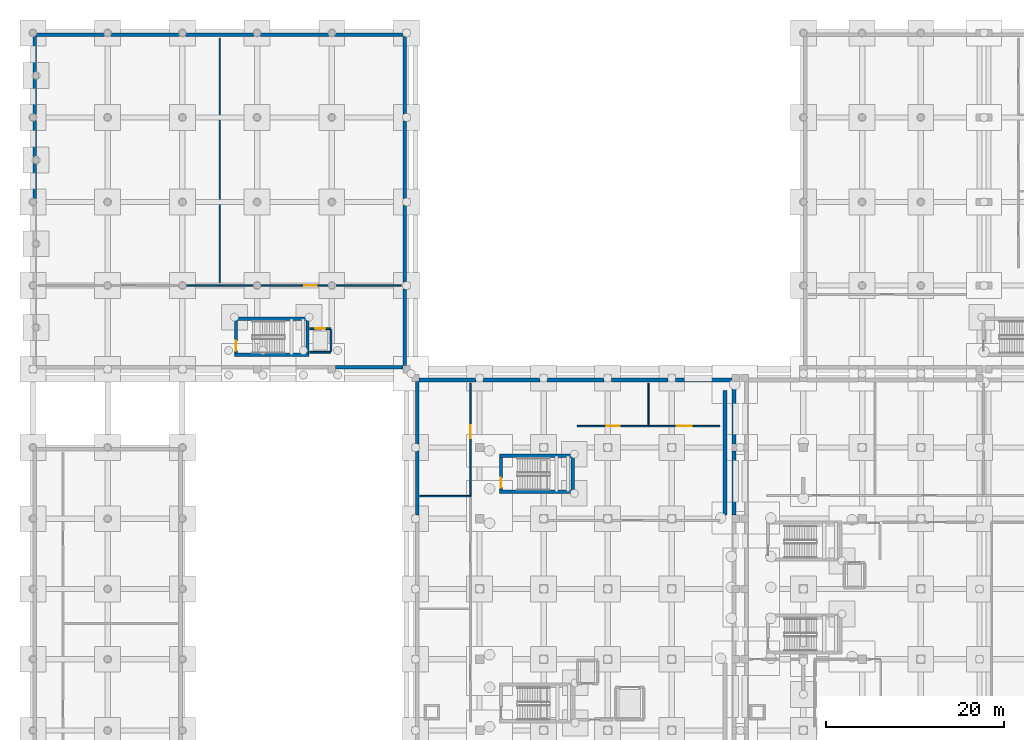
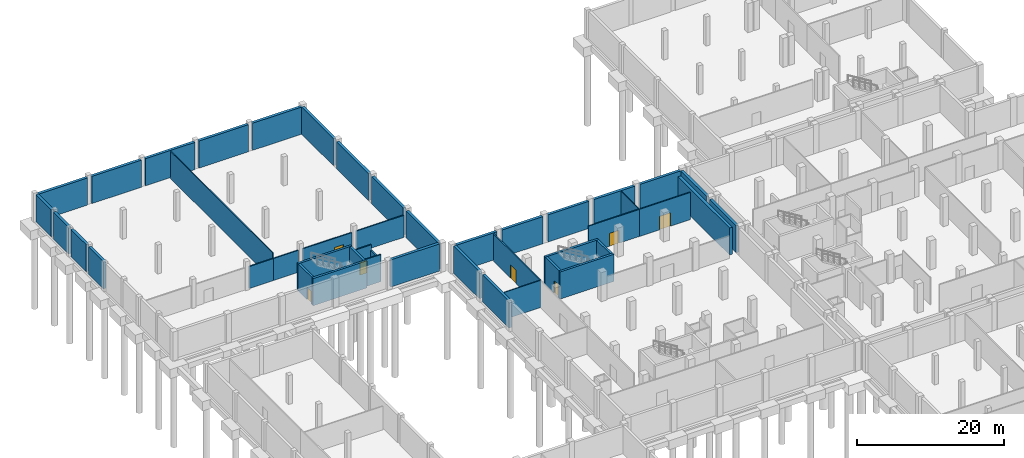
# One storey, part 19 of 29: 45 walls, 7 doors, 7 openings.
"""IFC4 building model written with IfcOpenShell, lengths in metres."""

from ifc_helpers import new_model, si_unit, direction, frame, frame_2d, origin, place, context, subcontext, project, spatial, rectangle, extrude, material, layer, layer_set, type_object, element, fill, save


model = new_model("IFC4")

# Units and contexts
model_context = context("Model", 3, precision=1e-05, world=origin(), true_north=direction((0.0, 1.0)))
body_context = subcontext(model_context, "Body", "Model", "MODEL_VIEW")
ifc_project = project(units=[si_unit("LENGTHUNIT", "METRE"), si_unit("AREAUNIT", "SQUARE_METRE"), si_unit("VOLUMEUNIT", "CUBIC_METRE"), si_unit("PLANEANGLEUNIT", "RADIAN"), si_unit("MASSUNIT", "GRAM", prefix="KILO")], contexts=[model_context])

# Site, building, storey
site_placement = place(None, origin())
site = spatial("IfcSite", under=ifc_project, at=site_placement, CompositionType="ELEMENT")
building_placement = place(site_placement, origin())
building = spatial("IfcBuilding", under=site, at=building_placement, Name="Kelarvand Opera House", CompositionType="ELEMENT")
storey_placement = place(building_placement, frame((0.0, 0.0, -9.60009765625)))
storey = spatial("IfcBuildingStorey", under=building, at=storey_placement, Name="B2", CompositionType="ELEMENT", Elevation=-9.60009765625)

# Walls
ifc_material_1 = material(Name="Concrete C40/50", Category="concrete")
ifc_layer_1 = layer(ifc_material_1, 0.449951171875, Name="Concrete C40/50", Category="concrete")
ifc_layer_set_1 = layer_set([ifc_layer_1], Name="Concrete C40/50")
wall_type_1 = type_object("IfcWallType", Name="Acoustic Proscenium Shear Wall 450", PredefinedType="SHEAR", material=ifc_layer_set_1)
wall_1_placement = place(storey_placement, frame((86.800048828125, 70.800048828125, 0.0), z_axis=(0.0, 0.0, 1.0), x_axis=(0.0, 1.0, 0.0)))
element("IfcWall", 1, at=wall_1_placement, inside=storey, type_object=wall_type_1, Name="V2 Shear Wall PW-120 B2", PredefinedType="SHEAR", context=body_context, shape_type="SweptSolid", body=[
    extrude(rectangle(XDim=14.0, YDim=0.449951171875, at=frame_2d((7.0, 0.0))), origin(), (0.0, 0.0, 1.0), 4.47998046875),
])
ifc_material_2 = material(Name="Acoustic double-stud gypsum partition")
ifc_layer_2 = layer(ifc_material_2, 0.14990234375, Name="Acoustic double-stud gypsum partition")
ifc_layer_set_2 = layer_set([ifc_layer_2], Name="Acoustic double-stud gypsum partition")
wall_type_2 = type_object("IfcWallType", Name="Acoustic Room Partition Wall 150", PredefinedType="PARTITIONING", material=ifc_layer_set_2)
wall_2_placement = place(storey_placement, frame((52.5, 72.93310546875, 0.0), z_axis=(0.0, 0.0, 1.0), x_axis=(1.0, 0.0, 0.0)))
element("IfcWall", 2, at=wall_2_placement, inside=storey, type_object=wall_type_2, Name="V2 B2 Partition Wall IW-150 (62)", PredefinedType="PARTITIONING", context=body_context, shape_type="SweptSolid", body=[
    extrude(rectangle(XDim=5.699951171875, YDim=0.14990234375, at=frame_2d((2.85009765625, 0.0))), origin(), (0.0, 0.0, 1.0), 4.4921875),
])
wall_3_placement = place(storey_placement, frame((78.199951171875, 80.93994140625, 0.0), z_axis=(0.0, 0.0, 1.0), x_axis=(0.0, 1.0, 0.0)))
element("IfcWall", 3, at=wall_3_placement, inside=storey, type_object=wall_type_2, Name="V2 B2 Partition Wall IW-150 (65)", PredefinedType="PARTITIONING", context=body_context, shape_type="SweptSolid", body=[
    extrude(rectangle(XDim=4.66015625, YDim=0.14990234375, at=frame_2d((2.330078125, 0.0))), origin(), (0.0, 0.0, 1.0), 4.4921875),
])
wall_4_placement = place(storey_placement, frame((30.0, 96.739990234375, 0.0), z_axis=(0.0, 0.0, 1.0), x_axis=(0.0, 1.0, 0.0)))
element("IfcWall", 4, at=wall_4_placement, inside=storey, type_object=wall_type_2, Name="V3 B2 Partition Wall IW-150 (73)", PredefinedType="PARTITIONING", context=body_context, shape_type="SweptSolid", body=[
    extrude(rectangle(XDim=27.659912109375, YDim=0.14990234375, at=frame_2d((13.830078125, 0.0))), origin(), (0.0, 0.0, 1.0), 4.4921875),
])
ifc_material_3 = material(Name="Concrete C35/45", Category="concrete")
ifc_layer_3 = layer(ifc_material_3, 0.419921875, Name="Concrete C35/45", Category="concrete")
ifc_layer_set_3 = layer_set([ifc_layer_3], Name="Concrete C35/45")
wall_type_3 = type_object("IfcWallType", Name="Basement Perimeter Retaining Wall 420", PredefinedType="SHEAR", material=ifc_layer_set_3)
wall_5_placement = place(storey_placement, frame((87.7900390625, 85.7900390625, 0.0), z_axis=(0.0, 0.0, 1.0), x_axis=(0.0, -1.0, 0.0)))
element("IfcWall", 5, at=wall_5_placement, inside=storey, type_object=wall_type_3, Name="V2 B2 Retaining Wall 176", PredefinedType="SHEAR", context=body_context, shape_type="SweptSolid", body=[
    extrude(rectangle(XDim=6.97998046875, YDim=0.419921875, at=frame_2d((3.489990234375, 0.0))), origin(), (0.0, 0.0, 1.0), 4.5),
])
wall_6_placement = place(storey_placement, frame((87.7900390625, 77.989990234375, 0.0), z_axis=(0.0, 0.0, 1.0), x_axis=(0.0, -1.0, 0.0)))
element("IfcWall", 6, at=wall_6_placement, inside=storey, type_object=wall_type_3, Name="V2 B2 Retaining Wall 177", PredefinedType="SHEAR", context=body_context, shape_type="SweptSolid", body=[
    extrude(rectangle(XDim=7.179931640625, YDim=0.419921875, at=frame_2d((3.58984375, 0.0))), origin(), (0.0, 0.0, 1.0), 4.5),
])
wall_7_placement = place(storey_placement, frame((52.409912109375, 85.989990234375, 0.0), z_axis=(0.0, 0.0, 1.0), x_axis=(1.0, 0.0, 0.0)))
element("IfcWall", 7, at=wall_7_placement, inside=storey, type_object=wall_type_3, Name="V2 B2 Retaining Wall 182", PredefinedType="SHEAR", context=body_context, shape_type="SweptSolid", body=[
    extrude(rectangle(XDim=6.380126953125, YDim=0.419921875, at=frame_2d((3.18994140625, 0.0))), origin(), (0.0, 0.0, 1.0), 4.5),
])
for number, where, z_axis, x_axis, name in (
    (8, (59.610107421875, 85.989990234375, 0.0), (0.0, 0.0, 1.0), (1.0, 0.0, 0.0), "V2 B2 Retaining Wall 183"),
    (9, (66.81005859375, 85.989990234375, 0.0), (0.0, 0.0, 1.0), (1.0, 0.0, 0.0), "V2 B2 Retaining Wall 184"),
    (10, (74.010009765625, 85.989990234375, 0.0), (0.0, 0.0, 1.0), (1.0, 0.0, 0.0), "V2 B2 Retaining Wall 185"),
):
    element("IfcWall", number, at=place(storey_placement, frame(where, z_axis=z_axis, x_axis=x_axis)), inside=storey, type_object=wall_type_3, Name=name, PredefinedType="SHEAR", context=body_context, shape_type="SweptSolid", body=[
        extrude(rectangle(XDim=6.3798828125, YDim=0.419921875, at=frame_2d((3.18994140625, 0.0))), origin(), (0.0, 0.0, 1.0), 4.5),
    ])
wall_8_placement = place(storey_placement, frame((81.2099609375, 85.989990234375, 0.0), z_axis=(0.0, 0.0, 1.0), x_axis=(1.0, 0.0, 0.0)))
element("IfcWall", 11, at=wall_8_placement, inside=storey, type_object=wall_type_3, Name="V2 B2 Retaining Wall 186", PredefinedType="SHEAR", context=body_context, shape_type="SweptSolid", body=[
    extrude(rectangle(XDim=6.380126953125, YDim=0.419921875, at=frame_2d((3.18994140625, 0.0))), origin(), (0.0, 0.0, 1.0), 4.5),
])
wall_9_placement = place(storey_placement, frame((52.2099609375, 70.81005859375, 0.0), z_axis=(0.0, 0.0, 1.0), x_axis=(0.0, 1.0, 0.0)))
element("IfcWall", 12, at=wall_9_placement, inside=storey, type_object=wall_type_3, Name="V2 B2 Retaining Wall 191", PredefinedType="SHEAR", context=body_context, shape_type="SweptSolid", body=[
    extrude(rectangle(XDim=7.179931640625, YDim=0.419921875, at=frame_2d((3.58984375, 0.0))), origin(), (0.0, 0.0, 1.0), 4.5),
])
wall_10_placement = place(storey_placement, frame((52.2099609375, 78.81005859375, 0.0), z_axis=(0.0, 0.0, 1.0), x_axis=(0.0, 1.0, 0.0)))
element("IfcWall", 13, at=wall_10_placement, inside=storey, type_object=wall_type_3, Name="V2 B2 Retaining Wall 192", PredefinedType="SHEAR", context=body_context, shape_type="SweptSolid", body=[
    extrude(rectangle(XDim=6.97998046875, YDim=0.419921875, at=frame_2d((3.489990234375, 0.0))), origin(), (0.0, 0.0, 1.0), 4.5),
])
for number, where, z_axis, x_axis, name in (
    (14, (50.7900390625, 124.590087890625, 0.0), (0.0, 0.0, 1.0), (0.0, -1.0, 0.0), "V3 B2 Retaining Wall 347"),
    (15, (50.7900390625, 115.090087890625, 0.0), (0.0, 0.0, 1.0), (0.0, -1.0, 0.0), "V3 B2 Retaining Wall 348"),
):
    element("IfcWall", number, at=place(storey_placement, frame(where, z_axis=z_axis, x_axis=x_axis)), inside=storey, type_object=wall_type_3, Name=name, PredefinedType="SHEAR", context=body_context, shape_type="SweptSolid", body=[
        extrude(rectangle(XDim=8.68017578125, YDim=0.419921875, at=frame_2d((4.340087890625, 0.0))), origin(), (0.0, 0.0, 1.0), 4.5),
    ])
wall_11_placement = place(storey_placement, frame((50.7900390625, 105.590087890625, 0.0), z_axis=(0.0, 0.0, 1.0), x_axis=(0.0, -1.0, 0.0)))
element("IfcWall", 16, at=wall_11_placement, inside=storey, type_object=wall_type_3, Name="V3 B2 Retaining Wall 349", PredefinedType="SHEAR", context=body_context, shape_type="SweptSolid", body=[
    extrude(rectangle(XDim=8.580078125, YDim=0.419921875, at=frame_2d((4.2900390625, 0.0))), origin(), (0.0, 0.0, 1.0), 4.5),
])
wall_12_placement = place(storey_placement, frame((50.7900390625, 96.18994140625, 0.0), z_axis=(0.0, 0.0, 1.0), x_axis=(0.0, -1.0, 0.0)))
element("IfcWall", 17, at=wall_12_placement, inside=storey, type_object=wall_type_3, Name="V3 B2 Retaining Wall 350", PredefinedType="SHEAR", context=body_context, shape_type="SweptSolid", body=[
    extrude(rectangle(XDim=8.579833984375, YDim=0.419921875, at=frame_2d((4.2900390625, 0.0))), origin(), (0.0, 0.0, 1.0), 4.5),
])
for number, where, z_axis, x_axis, name in (
    (18, (9.324951171875, 124.7900390625, 0.0), (0.0, 0.0, 1.0), (1.0, 0.0, 0.0), "V3 B2 Retaining Wall 351"),
    (19, (17.72509765625, 124.7900390625, 0.0), (0.0, 0.0, 1.0), (1.0, 0.0, 0.0), "V3 B2 Retaining Wall 352"),
    (20, (26.125, 124.7900390625, 0.0), (0.0, 0.0, 1.0), (1.0, 0.0, 0.0), "V3 B2 Retaining Wall 353"),
    (21, (34.52490234375, 124.7900390625, 0.0), (0.0, 0.0, 1.0), (1.0, 0.0, 0.0), "V3 B2 Retaining Wall 354"),
):
    element("IfcWall", number, at=place(storey_placement, frame(where, z_axis=z_axis, x_axis=x_axis)), inside=storey, type_object=wall_type_3, Name=name, PredefinedType="SHEAR", context=body_context, shape_type="SweptSolid", body=[
        extrude(rectangle(XDim=7.75, YDim=0.419921875, at=frame_2d((3.875, 0.0))), origin(), (0.0, 0.0, 1.0), 4.5),
    ])
wall_13_placement = place(storey_placement, frame((42.925048828125, 124.7900390625, 0.0), z_axis=(0.0, 0.0, 1.0), x_axis=(1.0, 0.0, 0.0)))
element("IfcWall", 22, at=wall_13_placement, inside=storey, type_object=wall_type_3, Name="V3 B2 Retaining Wall 355", PredefinedType="SHEAR", context=body_context, shape_type="SweptSolid", body=[
    extrude(rectangle(XDim=7.6650390625, YDim=0.419921875, at=frame_2d((3.83251953125, 0.0))), origin(), (0.0, 0.0, 1.0), 4.5),
])
wall_14_placement = place(storey_placement, frame((9.2099609375, 106.324951171875, 0.0), z_axis=(0.0, 0.0, 1.0), x_axis=(0.0, 1.0, 0.0)))
element("IfcWall", 23, at=wall_14_placement, inside=storey, type_object=wall_type_3, Name="V3 B2 Retaining Wall 360", PredefinedType="SHEAR", context=body_context, shape_type="SweptSolid", body=[
    extrude(rectangle(XDim=4.074951171875, YDim=0.419921875, at=frame_2d((2.03759765625, 0.0))), origin(), (0.0, 0.0, 1.0), 4.5),
])
wall_15_placement = place(storey_placement, frame((9.2099609375, 111.0, 0.0), z_axis=(0.0, 0.0, 1.0), x_axis=(0.0, 1.0, 0.0)))
element("IfcWall", 24, at=wall_15_placement, inside=storey, type_object=wall_type_3, Name="V3 B2 Retaining Wall 361", PredefinedType="SHEAR", context=body_context, shape_type="SweptSolid", body=[
    extrude(rectangle(XDim=4.175048828125, YDim=0.419921875, at=frame_2d((2.08740234375, 0.0))), origin(), (0.0, 0.0, 1.0), 4.5),
])
wall_16_placement = place(storey_placement, frame((9.2099609375, 115.824951171875, 0.0), z_axis=(0.0, 0.0, 1.0), x_axis=(0.0, 1.0, 0.0)))
element("IfcWall", 25, at=wall_16_placement, inside=storey, type_object=wall_type_3, Name="V3 B2 Retaining Wall 362", PredefinedType="SHEAR", context=body_context, shape_type="SweptSolid", body=[
    extrude(rectangle(XDim=4.074951171875, YDim=0.419921875, at=frame_2d((2.03759765625, 0.0))), origin(), (0.0, 0.0, 1.0), 4.5),
])
wall_17_placement = place(storey_placement, frame((9.2099609375, 120.5, 0.0), z_axis=(0.0, 0.0, 1.0), x_axis=(0.0, 1.0, 0.0)))
element("IfcWall", 26, at=wall_17_placement, inside=storey, type_object=wall_type_3, Name="V3 B2 Retaining Wall 363", PredefinedType="SHEAR", context=body_context, shape_type="SweptSolid", body=[
    extrude(rectangle(XDim=4.175048828125, YDim=0.419921875, at=frame_2d((2.08740234375, 0.0))), origin(), (0.0, 0.0, 1.0), 4.5),
])
wall_18_placement = place(storey_placement, frame((50.590087890625, 87.409912109375, 0.0), z_axis=(0.0, 0.0, 1.0), x_axis=(-1.0, 0.0, 0.0)))
element("IfcWall", 27, at=wall_18_placement, inside=storey, type_object=wall_type_3, Name="V3 B2 Retaining Wall 364", PredefinedType="SHEAR", context=body_context, shape_type="SweptSolid", body=[
    extrude(rectangle(XDim=7.580078125, YDim=0.419921875, at=frame_2d((3.7900390625, 0.0))), origin(), (0.0, 0.0, 1.0), 4.5),
])
ifc_layer_4 = layer(ifc_material_1, 0.35009765625, Name="Concrete C40/50", Category="concrete")
ifc_layer_set_4 = layer_set([ifc_layer_4], Name="Concrete C40/50")
wall_type_4 = type_object("IfcWallType", Name="Core Stair and Lift Shear Wall 350", PredefinedType="SHEAR", material=ifc_layer_set_4)
for number, where, z_axis, x_axis, name in (
    (28, (61.449951171875, 73.425048828125, 0.0), (0.0, 0.0, 1.0), (1.0, 0.0, 0.0), "C3 Stair Core Shear Wall S B2"),
    (29, (69.85009765625, 77.47509765625, 0.0), (0.0, 0.0, 1.0), (-1.0, 0.0, 0.0), "C3 Stair Core Shear Wall N B2"),
):
    element("IfcWall", number, at=place(storey_placement, frame(where, z_axis=z_axis, x_axis=x_axis)), inside=storey, type_object=wall_type_4, Name=name, PredefinedType="SHEAR", context=body_context, shape_type="SweptSolid", body=[
        extrude(rectangle(XDim=8.400146484375, YDim=0.35009765625, at=frame_2d((4.2001953125, 0.0))), origin(), (0.0, 0.0, 1.0), 4.5),
    ])

# Wall, opening, door
wall_19_placement = place(storey_placement, frame((61.625, 73.60009765625, 0.0), z_axis=(0.0, 0.0, 1.0), x_axis=(0.0, 1.0, 0.0)))
wall_19 = element("IfcWall", 30, at=wall_19_placement, inside=storey, type_object=wall_type_4, Name="C3 Stair Core Shear Wall W B2", PredefinedType="SHEAR", context=body_context, shape_type="SweptSolid", body=[
    extrude(rectangle(XDim=3.699951171875, YDim=0.35009765625, at=frame_2d((1.85009765625, 0.0))), origin(), (0.0, 0.0, 1.0), 4.5),
])
opening_1_placement = place(wall_19_placement, frame((0.280029296875, 0.0, 0.0)))
opening_1 = element("IfcOpeningElement", 31, at=opening_1_placement, cuts=wall_19, Name="Opening FD-01", PredefinedType="OPENING", context=body_context, shape_type="SweptSolid", body=[
    extrude(rectangle(XDim=1.10009765625, YDim=2.080078125, at=frame_2d((0.550048828125, 1.0400390625))), frame((0.0, 0.18505859375, 0.0), z_axis=(0.0, -1.0, 0.0), x_axis=(1.0, 0.0, 0.0)), (0.0, 0.0, 1.0), 0.3701171875),
])
ifc_material_4 = material(Name="Fire-rated brushed stainless steel", Category="steel")
door_type_1 = type_object("IfcDoorType", Name="Steel Fire-Rated Stair and FF Lobby Door 1100x2080", OperationType="NOTDEFINED", PredefinedType="DOOR", material=ifc_material_4)
door_1_placement = place(opening_1_placement, origin())
door_1 = element("IfcDoor", 32, at=door_1_placement, inside=storey, type_object=door_type_1, Name="C3 Stair ST-03 Fire Door B2", OperationType="SINGLE_SWING_RIGHT", OverallHeight=2.080078125, OverallWidth=1.10009765625, PredefinedType="DOOR", context=body_context, shape_type="SweptSolid", body=[
    extrude(rectangle(XDim=1.10009765625, YDim=2.080078125, at=frame_2d((0.550048828125, 1.0400390625))), frame((0.0, 0.02490234375, 0.0), z_axis=(0.0, -1.0, 0.0), x_axis=(1.0, 0.0, 0.0)), (0.0, 0.0, 1.0), 0.050048828125),
])
fill(opening_1, door_1)

# Walls
wall_20_placement = place(storey_placement, frame((69.675048828125, 77.300048828125, 0.0), z_axis=(0.0, 0.0, 1.0), x_axis=(0.0, -1.0, 0.0)))
element("IfcWall", 33, at=wall_20_placement, inside=storey, type_object=wall_type_4, Name="C3 Stair Core Shear Wall E B2", PredefinedType="SHEAR", context=body_context, shape_type="SweptSolid", body=[
    extrude(rectangle(XDim=3.699951171875, YDim=0.35009765625, at=frame_2d((1.85009765625, 0.0))), origin(), (0.0, 0.0, 1.0), 4.5),
])
for number, where, z_axis, x_axis, name in (
    (34, (31.64990234375, 88.824951171875, 0.0), (0.0, 0.0, 1.0), (1.0, 0.0, 0.0), "C5 Stair Core Shear Wall S B2"),
    (35, (40.050048828125, 92.875, 0.0), (0.0, 0.0, 1.0), (-1.0, 0.0, 0.0), "C5 Stair Core Shear Wall N B2"),
):
    element("IfcWall", number, at=place(storey_placement, frame(where, z_axis=z_axis, x_axis=x_axis)), inside=storey, type_object=wall_type_4, Name=name, PredefinedType="SHEAR", context=body_context, shape_type="SweptSolid", body=[
        extrude(rectangle(XDim=8.400146484375, YDim=0.35009765625, at=frame_2d((4.2001953125, 0.0))), origin(), (0.0, 0.0, 1.0), 4.5),
    ])

# Wall, opening, door
wall_21_placement = place(storey_placement, frame((31.824951171875, 89.0, 0.0), z_axis=(0.0, 0.0, 1.0), x_axis=(0.0, 1.0, 0.0)))
wall_21 = element("IfcWall", 36, at=wall_21_placement, inside=storey, type_object=wall_type_4, Name="C5 Stair Core Shear Wall W B2", PredefinedType="SHEAR", context=body_context, shape_type="SweptSolid", body=[
    extrude(rectangle(XDim=3.699951171875, YDim=0.35009765625, at=frame_2d((1.85009765625, 0.0))), origin(), (0.0, 0.0, 1.0), 4.5),
])
opening_2_placement = place(wall_21_placement, frame((0.280029296875, 0.0, 0.0)))
opening_2 = element("IfcOpeningElement", 37, at=opening_2_placement, cuts=wall_21, Name="Opening FD-01", PredefinedType="OPENING", context=body_context, shape_type="SweptSolid", body=[
    extrude(rectangle(XDim=1.10009765625, YDim=2.080078125, at=frame_2d((0.550048828125, 1.0400390625))), frame((0.0, 0.18505859375, 0.0), z_axis=(0.0, -1.0, 0.0), x_axis=(1.0, 0.0, 0.0)), (0.0, 0.0, 1.0), 0.3701171875),
])
door_2_placement = place(opening_2_placement, origin())
door_2 = element("IfcDoor", 38, at=door_2_placement, inside=storey, type_object=door_type_1, Name="C5 Stair ST-05 Fire Door B2", OperationType="SINGLE_SWING_RIGHT", OverallHeight=2.080078125, OverallWidth=1.10009765625, PredefinedType="DOOR", context=body_context, shape_type="SweptSolid", body=[
    extrude(rectangle(XDim=1.10009765625, YDim=2.080078125, at=frame_2d((0.550048828125, 1.0400390625))), frame((0.0, 0.02490234375, 0.0), z_axis=(0.0, -1.0, 0.0), x_axis=(1.0, 0.0, 0.0)), (0.0, 0.0, 1.0), 0.050048828125),
])
fill(opening_2, door_2)

# Wall
wall_22_placement = place(storey_placement, frame((39.875, 92.699951171875, 0.0), z_axis=(0.0, 0.0, 1.0), x_axis=(0.0, -1.0, 0.0)))
element("IfcWall", 39, at=wall_22_placement, inside=storey, type_object=wall_type_4, Name="C5 Stair Core Shear Wall E B2", PredefinedType="SHEAR", context=body_context, shape_type="SweptSolid", body=[
    extrude(rectangle(XDim=3.699951171875, YDim=0.35009765625, at=frame_2d((1.85009765625, 0.0))), origin(), (0.0, 0.0, 1.0), 4.5),
])

# Wall, opening, door
ifc_layer_5 = layer(ifc_material_3, 0.179931640625, Name="Concrete C35/45", Category="concrete")
ifc_layer_set_5 = layer_set([ifc_layer_5], Name="Concrete C35/45")
wall_type_5 = type_object("IfcWallType", Name="Corridor Fire-Rated Partition Wall 180 EI90", PredefinedType="PARTITIONING", material=ifc_layer_set_5)
wall_23_placement = place(storey_placement, frame((58.199951171875, 72.93310546875, 0.0), z_axis=(0.0, 0.0, 1.0), x_axis=(0.0, 1.0, 0.0)))
wall_23 = element("IfcWall", 40, at=wall_23_placement, inside=storey, type_object=wall_type_5, Name="V2 B2 Partition Wall IW-90 (63)", PredefinedType="PARTITIONING", context=body_context, shape_type="SweptSolid", body=[
    extrude(rectangle(XDim=12.6669921875, YDim=0.179931640625, at=frame_2d((6.33349609375, 0.0))), origin(), (0.0, 0.0, 1.0), 4.4921875),
])
opening_3_placement = place(wall_23_placement, frame((6.48291015625, 0.0, 0.0)))
opening_3 = element("IfcOpeningElement", 41, at=opening_3_placement, cuts=wall_23, Name="Opening D-13", PredefinedType="OPENING", context=body_context, shape_type="SweptSolid", body=[
    extrude(rectangle(XDim=1.47998046875, YDim=2.179931640625, at=frame_2d((0.739990234375, 1.08984375))), frame((0.0, 0.10009765625, 0.0), z_axis=(0.0, -1.0, 0.0), x_axis=(1.0, 0.0, 0.0)), (0.0, 0.0, 1.0), 0.199951171875),
])
ifc_material_5 = material(Name="Acoustic walnut-veneered hardwood", Category="wood")
door_type_2 = type_object("IfcDoorType", Name="Academy Recital Double Door 1480x2180", OperationType="NOTDEFINED", PredefinedType="DOOR", material=ifc_material_5)
door_3_placement = place(opening_3_placement, origin())
door_3 = element("IfcDoor", 42, at=door_3_placement, inside=storey, type_object=door_type_2, Name="V2 B2 Door D-13 (23)", OperationType="DOUBLE_DOOR_SINGLE_SWING", OverallHeight=2.179931640625, OverallWidth=1.47998046875, PredefinedType="DOOR", context=body_context, shape_type="SweptSolid", body=[
    extrude(rectangle(XDim=1.47998046875, YDim=2.179931640625, at=frame_2d((0.739990234375, 1.08984375))), frame((0.0, 0.02490234375, 0.0), z_axis=(0.0, -1.0, 0.0), x_axis=(1.0, 0.0, 0.0)), (0.0, 0.0, 1.0), 0.050048828125),
])
fill(opening_3, door_3)

wall_24_placement = place(storey_placement, frame((70.199951171875, 80.800048828125, 0.0), z_axis=(0.0, 0.0, 1.0), x_axis=(1.0, 0.0, 0.0)))
wall_24 = element("IfcWall", 43, at=wall_24_placement, inside=storey, type_object=wall_type_5, Name="V2 B2 Partition Wall IW-90 (64)", PredefinedType="PARTITIONING", context=body_context, shape_type="SweptSolid", body=[
    extrude(rectangle(XDim=8.0, YDim=0.179931640625, at=frame_2d((4.0, 0.0))), origin(), (0.0, 0.0, 1.0), 4.4921875),
])
opening_4_placement = place(wall_24_placement, frame((3.25, 0.0, 0.0)))
opening_4 = element("IfcOpeningElement", 44, at=opening_4_placement, cuts=wall_24, Name="Opening D-07", PredefinedType="OPENING", context=body_context, shape_type="SweptSolid", body=[
    extrude(rectangle(XDim=1.5, YDim=2.14990234375, at=frame_2d((0.75, 1.074951171875))), frame((0.0, 0.10009765625, 0.0), z_axis=(0.0, -1.0, 0.0), x_axis=(1.0, 0.0, 0.0)), (0.0, 0.0, 1.0), 0.199951171875),
])
door_type_3 = type_object("IfcDoorType", Name="Rehearsal Instrument Double Door 1500x2150", OperationType="NOTDEFINED", PredefinedType="DOOR", material=ifc_material_5)
door_4_placement = place(opening_4_placement, origin())
door_4 = element("IfcDoor", 45, at=door_4_placement, inside=storey, type_object=door_type_3, Name="V2 B2 Door D-07 (24)", OperationType="DOUBLE_DOOR_SINGLE_SWING", OverallHeight=2.14990234375, OverallWidth=1.5, PredefinedType="DOOR", context=body_context, shape_type="SweptSolid", body=[
    extrude(rectangle(XDim=1.5, YDim=2.14990234375, at=frame_2d((0.75, 1.074951171875))), frame((0.0, 0.02490234375, 0.0), z_axis=(0.0, -1.0, 0.0), x_axis=(1.0, 0.0, 0.0)), (0.0, 0.0, 1.0), 0.050048828125),
])
fill(opening_4, door_4)

wall_25_placement = place(storey_placement, frame((78.199951171875, 80.800048828125, 0.0), z_axis=(0.0, 0.0, 1.0), x_axis=(1.0, 0.0, 0.0)))
wall_25 = element("IfcWall", 46, at=wall_25_placement, inside=storey, type_object=wall_type_5, Name="V2 B2 Partition Wall IW-90 (66)", PredefinedType="PARTITIONING", context=body_context, shape_type="SweptSolid", body=[
    extrude(rectangle(XDim=8.0, YDim=0.179931640625, at=frame_2d((4.0, 0.0))), origin(), (0.0, 0.0, 1.0), 4.4921875),
])
opening_5_placement = place(wall_25_placement, frame((3.139892578125, 0.0, 0.0)))
opening_5 = element("IfcOpeningElement", 47, at=opening_5_placement, cuts=wall_25, Name="Opening D-15", PredefinedType="OPENING", context=body_context, shape_type="SweptSolid", body=[
    extrude(rectangle(XDim=1.719970703125, YDim=2.219970703125, at=frame_2d((0.85986328125, 1.10986328125))), frame((0.0, 0.10009765625, 0.0), z_axis=(0.0, -1.0, 0.0), x_axis=(1.0, 0.0, 0.0)), (0.0, 0.0, 1.0), 0.199951171875),
])
door_type_4 = type_object("IfcDoorType", Name="Broadcast Control Double Door 1720x2220", OperationType="NOTDEFINED", PredefinedType="DOOR", material=ifc_material_5)
door_5_placement = place(opening_5_placement, origin())
door_5 = element("IfcDoor", 48, at=door_5_placement, inside=storey, type_object=door_type_4, Name="V2 B2 Door D-15 (25)", OperationType="DOUBLE_DOOR_SINGLE_SWING", OverallHeight=2.219970703125, OverallWidth=1.719970703125, PredefinedType="DOOR", context=body_context, shape_type="SweptSolid", body=[
    extrude(rectangle(XDim=1.719970703125, YDim=2.219970703125, at=frame_2d((0.85986328125, 1.10986328125))), frame((0.0, 0.02490234375, 0.0), z_axis=(0.0, -1.0, 0.0), x_axis=(1.0, 0.0, 0.0)), (0.0, 0.0, 1.0), 0.050048828125),
])
fill(opening_5, door_5)

# Walls
for number, where, z_axis, x_axis, name in (
    (49, (26.125, 96.60009765625, 0.0), (0.0, 0.0, 1.0), (1.0, 0.0, 0.0), "V3 B2 Partition Wall IW-90 (72)"),
    (50, (30.0, 96.60009765625, 0.0), (0.0, 0.0, 1.0), (1.0, 0.0, 0.0), "V3 B2 Partition Wall IW-90 (74)"),
):
    element("IfcWall", number, at=place(storey_placement, frame(where, z_axis=z_axis, x_axis=x_axis)), inside=storey, type_object=wall_type_5, Name=name, PredefinedType="PARTITIONING", context=body_context, shape_type="SweptSolid", body=[
        extrude(rectangle(XDim=3.875, YDim=0.179931640625, at=frame_2d((1.9375, 0.0))), origin(), (0.0, 0.0, 1.0), 3.64208984375),
    ])

# Wall, opening, door
wall_26_placement = place(storey_placement, frame((34.52490234375, 96.60009765625, 0.0), z_axis=(0.0, 0.0, 1.0), x_axis=(1.0, 0.0, 0.0)))
wall_26 = element("IfcWall", 51, at=wall_26_placement, inside=storey, type_object=wall_type_5, Name="V3 B2 Partition Wall IW-90 (75)", PredefinedType="PARTITIONING", context=body_context, shape_type="SweptSolid", body=[
    extrude(rectangle(XDim=7.75, YDim=0.179931640625, at=frame_2d((3.875, 0.0))), origin(), (0.0, 0.0, 1.0), 3.64208984375),
])
opening_6_placement = place(wall_26_placement, frame((4.97509765625, 0.0, 0.0)))
opening_6 = element("IfcOpeningElement", 52, at=opening_6_placement, cuts=wall_26, Name="Opening D-03", PredefinedType="OPENING", context=body_context, shape_type="SweptSolid", body=[
    extrude(rectangle(XDim=1.39990234375, YDim=2.1201171875, at=frame_2d((0.699951171875, 1.06005859375))), frame((0.0, 0.10009765625, 0.0), z_axis=(0.0, -1.0, 0.0), x_axis=(1.0, 0.0, 0.0)), (0.0, 0.0, 1.0), 0.199951171875),
])
door_type_5 = type_object("IfcDoorType", Name="Plant and Archive Double Leaf Door 1400x2120", OperationType="NOTDEFINED", PredefinedType="DOOR", material=ifc_material_5)
door_6_placement = place(opening_6_placement, origin())
door_6 = element("IfcDoor", 53, at=door_6_placement, inside=storey, type_object=door_type_5, Name="V3 B2 Door D-03 (29)", OperationType="DOUBLE_DOOR_SINGLE_SWING", OverallHeight=2.1201171875, OverallWidth=1.39990234375, PredefinedType="DOOR", context=body_context, shape_type="SweptSolid", body=[
    extrude(rectangle(XDim=1.39990234375, YDim=2.1201171875, at=frame_2d((0.699951171875, 1.06005859375))), frame((0.0, 0.02490234375, 0.0), z_axis=(0.0, -1.0, 0.0), x_axis=(1.0, 0.0, 0.0)), (0.0, 0.0, 1.0), 0.050048828125),
])
fill(opening_6, door_6)

# Walls
wall_27_placement = place(storey_placement, frame((42.925048828125, 96.60009765625, 0.0), z_axis=(0.0, 0.0, 1.0), x_axis=(1.0, 0.0, 0.0)))
element("IfcWall", 54, at=wall_27_placement, inside=storey, type_object=wall_type_5, Name="V3 B2 Partition Wall IW-90 (76)", PredefinedType="PARTITIONING", context=body_context, shape_type="SweptSolid", body=[
    extrude(rectangle(XDim=7.474853515625, YDim=0.179931640625, at=frame_2d((3.7373046875, 0.0))), origin(), (0.0, 0.0, 1.0), 3.64208984375),
])
ifc_layer_6 = layer(ifc_material_3, 0.199951171875, Name="Concrete C35/45", Category="concrete")
ifc_layer_set_6 = layer_set([ifc_layer_6], Name="Concrete C35/45")
wall_type_6 = type_object("IfcWallType", Name="Lift and Riser Shaft Enclosure Wall 200 EI120", PredefinedType="PARTITIONING", material=ifc_layer_set_6)
wall_28_placement = place(storey_placement, frame((40.10009765625, 89.10009765625, 0.0), z_axis=(0.0, 0.0, 1.0), x_axis=(1.0, 0.0, 0.0)))
element("IfcWall", 55, at=wall_28_placement, inside=storey, type_object=wall_type_6, Name="V3 B2 Partition Wall SW-200 (17)", PredefinedType="PARTITIONING", context=body_context, shape_type="SweptSolid", body=[
    extrude(rectangle(XDim=2.39990234375, YDim=0.199951171875, at=frame_2d((1.199951171875, 0.0))), origin(), (0.0, 0.0, 1.0), 4.4921875),
])

# Wall, opening, door
wall_29_placement = place(storey_placement, frame((42.5, 91.75, 0.0), z_axis=(0.0, 0.0, 1.0), x_axis=(-1.0, 0.0, 0.0)))
wall_29 = element("IfcWall", 56, at=wall_29_placement, inside=storey, type_object=wall_type_6, Name="V3 B2 Partition Wall SW-200 (18)", PredefinedType="PARTITIONING", context=body_context, shape_type="SweptSolid", body=[
    extrude(rectangle(XDim=2.39990234375, YDim=0.199951171875, at=frame_2d((1.199951171875, 0.0))), origin(), (0.0, 0.0, 1.0), 4.4921875),
])
opening_7_placement = place(wall_29_placement, frame((0.64990234375, 0.0, 0.0)))
opening_7 = element("IfcOpeningElement", 57, at=opening_7_placement, cuts=wall_29, Name="Opening LD-01", PredefinedType="OPENING", context=body_context, shape_type="SweptSolid", body=[
    extrude(rectangle(XDim=1.10009765625, YDim=2.14990234375, at=frame_2d((0.550048828125, 1.074951171875))), frame((0.0, 0.10986328125, 0.0), z_axis=(0.0, -1.0, 0.0), x_axis=(1.0, 0.0, 0.0)), (0.0, 0.0, 1.0), 0.219970703125),
])
door_type_6 = type_object("IfcDoorType", Name="Passenger Lift Sliding Landing Door 1100x2150", OperationType="SLIDING_TO_LEFT", PredefinedType="DOOR", material=ifc_material_4)
door_7_placement = place(opening_7_placement, origin())
door_7 = element("IfcDoor", 58, at=door_7_placement, inside=storey, type_object=door_type_6, Name="V3 B2 Door LD-01 (6)", OperationType="SLIDING_TO_LEFT", OverallHeight=2.14990234375, OverallWidth=1.10009765625, PredefinedType="DOOR", context=body_context, shape_type="SweptSolid", body=[
    extrude(rectangle(XDim=1.10009765625, YDim=2.14990234375, at=frame_2d((0.550048828125, 1.074951171875))), frame((0.0, 0.02490234375, 0.0), z_axis=(0.0, -1.0, 0.0), x_axis=(1.0, 0.0, 0.0)), (0.0, 0.0, 1.0), 0.050048828125),
])
fill(opening_7, door_7)

# Wall
wall_30_placement = place(storey_placement, frame((42.5, 91.64990234375, 0.0), z_axis=(0.0, 0.0, 1.0), x_axis=(0.0, -1.0, 0.0)))
element("IfcWall", 59, at=wall_30_placement, inside=storey, type_object=wall_type_6, Name="V3 B2 Partition Wall SW-200 (19)", PredefinedType="PARTITIONING", context=body_context, shape_type="SweptSolid", body=[
    extrude(rectangle(XDim=2.449951171875, YDim=0.199951171875, at=frame_2d((1.22509765625, 0.0))), origin(), (0.0, 0.0, 1.0), 3.592041015625),
])

save(model, "model.ifc")
